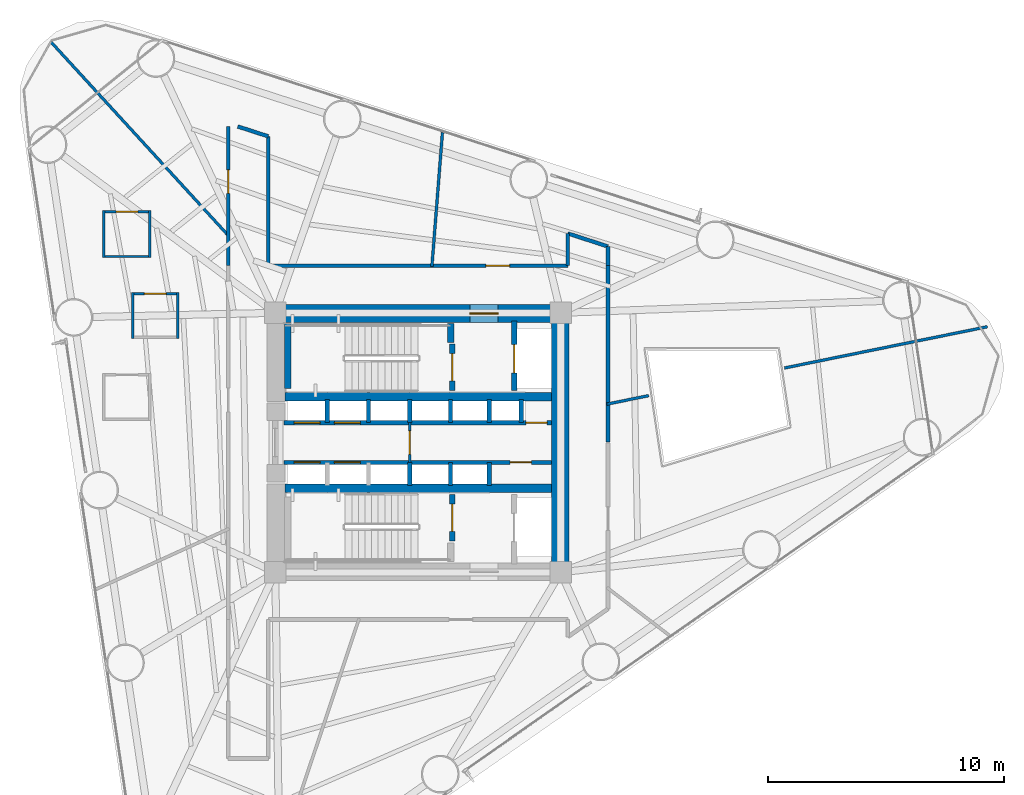
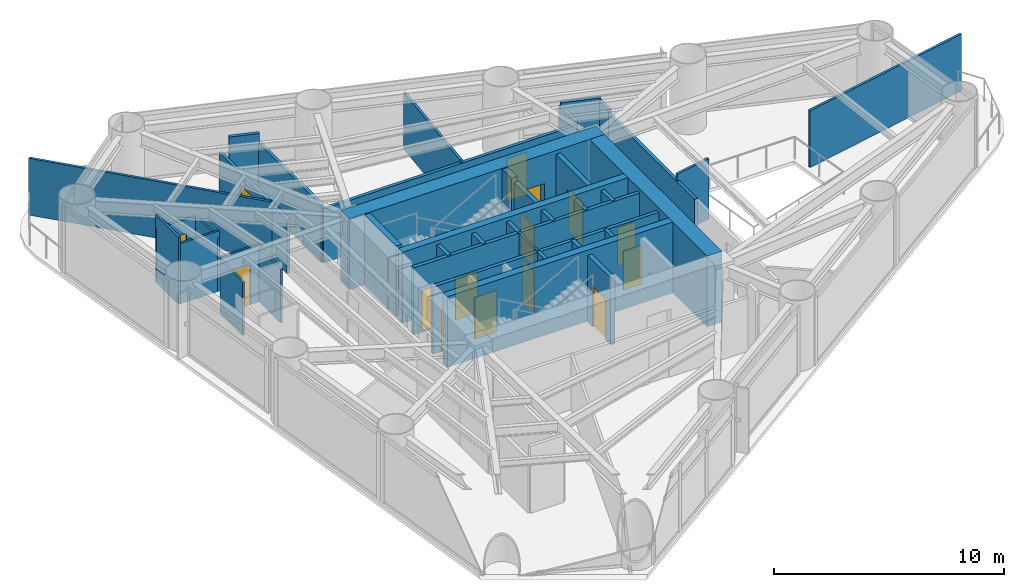
# One storey, part 6 of 9: 40 walls, 15 doors, 15 openings.
"""IFC4 building model written with IfcOpenShell, lengths in metres."""

from ifc_helpers import new_model, si_unit, direction, frame, frame_2d, origin, place, context, subcontext, project, spatial, rectangle, extrude, material, layer, layer_set, type_object, element, fill, save


model = new_model("IFC4")

# Units and contexts
model_context = context("Model", 3, precision=1e-05, world=origin(), true_north=direction((0.0, 1.0)))
body_context = subcontext(model_context, "Body", "Model", "MODEL_VIEW")
ifc_project = project(units=[si_unit("LENGTHUNIT", "METRE"), si_unit("AREAUNIT", "SQUARE_METRE"), si_unit("VOLUMEUNIT", "CUBIC_METRE"), si_unit("PLANEANGLEUNIT", "RADIAN"), si_unit("MASSUNIT", "GRAM", prefix="KILO")], contexts=[model_context])

# Site, building, storey
site_placement = place(None, origin())
site = spatial("IfcSite", under=ifc_project, at=site_placement, CompositionType="ELEMENT")
building_placement = place(site_placement, origin())
building = spatial("IfcBuilding", under=site, at=building_placement, Name="Yunling Apex Tower", CompositionType="ELEMENT")
storey_placement = place(building_placement, frame((0.0, 0.0, 58.550048828125)))
storey = spatial("IfcBuildingStorey", under=building, at=storey_placement, Name="L15", CompositionType="ELEMENT", Elevation=58.550048828125)

# Wall, opening, door
ifc_material_1 = material(Name="Concrete C60", Category="concrete")
ifc_layer_1 = layer(ifc_material_1, 0.75)
ifc_layer_set_1 = layer_set([ifc_layer_1], Name="Concrete C60")
wall_type_1 = type_object("IfcWallType", Name="WL-COR-1", PredefinedType="SHEAR", material=ifc_layer_set_1)
wall_1_placement = place(storey_placement, frame((-6.39990234375, 5.47509765625, 0.0), z_axis=(0.0, 0.0, 1.0), x_axis=(1.0, 0.0, 0.0)))
wall_1 = element("IfcWall", 1, at=wall_1_placement, inside=storey, type_object=wall_type_1, Name="L15 North Core Shear Wall", PredefinedType="SHEAR", context=body_context, shape_type="SweptSolid", body=[
    extrude(rectangle(XDim=12.7998046875, YDim=0.75, at=frame_2d((6.39990234375, 0.0))), origin(), (0.0, 0.0, 1.0), 3.75),
])
opening_1_placement = place(wall_1_placement, frame((8.60009765625, 0.0, 0.0)))
opening_1 = element("IfcOpeningElement", 2, at=opening_1_placement, cuts=wall_1, Name="Opening DR-FFL-1", PredefinedType="OPENING", context=body_context, shape_type="SweptSolid", body=[
    extrude(rectangle(XDim=1.199951171875, YDim=2.199951171875, at=frame_2d((0.60009765625, 1.10009765625))), frame((0.0, 0.385009765625, 0.0), z_axis=(0.0, -1.0, 0.0), x_axis=(1.0, 0.0, 0.0)), (0.0, 0.0, 1.0), 0.77001953125),
])
ifc_material_2 = material(Name="Steel Q355B", Category="steel")
door_type_1 = type_object("IfcDoorType", Name="DR-FFL-1", OperationType="NOTDEFINED", PredefinedType="DOOR", material=ifc_material_2)
door_1_placement = place(opening_1_placement, origin())
door_1 = element("IfcDoor", 3, at=door_1_placement, inside=storey, type_object=door_type_1, Name="L15 North Firefighting Lobby Door", OperationType="SINGLE_SWING_LEFT", OverallHeight=2.199951171875, OverallWidth=1.199951171875, PredefinedType="DOOR", context=body_context, shape_type="SweptSolid", body=[
    extrude(rectangle(XDim=1.199951171875, YDim=2.199951171875, at=frame_2d((0.60009765625, 1.10009765625))), frame((0.0, 0.02490234375, 0.0), z_axis=(0.0, -1.0, 0.0), x_axis=(1.0, 0.0, 0.0)), (0.0, 0.0, 1.0), 0.050048828125),
])
fill(opening_1, door_1)

# Walls
wall_2_placement = place(storey_placement, frame((6.02490234375, -5.10009765625, 0.0), z_axis=(0.0, 0.0, 1.0), x_axis=(0.0, 1.0, 0.0)))
element("IfcWall", 4, at=wall_2_placement, inside=storey, type_object=wall_type_1, Name="L15 East Core Shear Wall", PredefinedType="SHEAR", context=body_context, shape_type="SweptSolid", body=[
    extrude(rectangle(XDim=10.2001953125, YDim=0.75, at=frame_2d((5.10009765625, 0.0))), origin(), (0.0, 0.0, 1.0), 3.75),
])
ifc_material_3 = material(Name="Concrete C40", Category="concrete")
ifc_layer_2 = layer(ifc_material_3, 0.360107421875)
ifc_layer_set_2 = layer_set([ifc_layer_2], Name="Concrete C40")
wall_type_2 = type_object("IfcWallType", Name="WL-COR-4", PredefinedType="SHEAR", material=ifc_layer_set_2)
for number, where, z_axis, x_axis, name in (
    (5, (-5.64990234375, 1.93994140625, 0.0), (0.0, 0.0, 1.0), (1.0, 0.0, 0.0), "L15 North Internal Core Shear Wall"),
    (6, (-5.64990234375, -1.93994140625, 0.0), (0.0, 0.0, 1.0), (1.0, 0.0, 0.0), "L15 South Internal Core Shear Wall"),
):
    element("IfcWall", number, at=place(storey_placement, frame(where, z_axis=z_axis, x_axis=x_axis)), inside=storey, type_object=wall_type_2, Name=name, PredefinedType="SHEAR", context=body_context, shape_type="SweptSolid", body=[
        extrude(rectangle(XDim=11.2998046875, YDim=0.360107421875, at=frame_2d((5.64990234375, 0.0))), origin(), (0.0, 0.0, 1.0), 3.75),
    ])
ifc_layer_3 = layer(ifc_material_3, 0.280029296875)
ifc_layer_set_3 = layer_set([ifc_layer_3], Name="Concrete C40")
wall_type_3 = type_object("IfcWallType", Name="WL-COR-8", PredefinedType="SHEAR", material=ifc_layer_set_3)
wall_3_placement = place(storey_placement, frame((-5.52001953125, 2.300048828125, 0.0), z_axis=(0.0, 0.0, 1.0), x_axis=(0.0, 1.0, 0.0)))
element("IfcWall", 7, at=wall_3_placement, inside=storey, type_object=wall_type_3, Name="L15 ST-1 West Landing Bearing Wall", PredefinedType="SHEAR", context=body_context, shape_type="SweptSolid", body=[
    extrude(rectangle(XDim=2.75, YDim=0.280029296875, at=frame_2d((1.375, 0.0))), origin(), (0.0, 0.0, 1.0), 3.75),
])
wall_4_placement = place(storey_placement, frame((1.3798828125, 4.25, 0.0), z_axis=(0.0, 0.0, 1.0), x_axis=(0.0, 1.0, 0.0)))
element("IfcWall", 8, at=wall_4_placement, inside=storey, type_object=wall_type_3, Name="L15 ST-1 East Landing Bearing Pier", PredefinedType="SHEAR", context=body_context, shape_type="SweptSolid", body=[
    extrude(rectangle(XDim=0.800048828125, YDim=0.280029296875, at=frame_2d((0.39990234375, 0.0))), origin(), (0.0, 0.0, 1.0), 3.75),
])

# Wall, opening, door
ifc_material_4 = material(Name="Gypsum board acoustic partition")
ifc_layer_4 = layer(ifc_material_4, 0.159912109375)
ifc_layer_set_4 = layer_set([ifc_layer_4], Name="Gypsum board acoustic partition")
wall_type_4 = type_object("IfcWallType", Name="WL-PRT-1", PredefinedType="PARTITIONING", material=ifc_layer_set_4)
wall_5_placement = place(storey_placement, frame((-8.050048828125, 7.5, 0.0), z_axis=(0.0, 0.0, 1.0), x_axis=(0.0, 1.0, 0.0)))
wall_5 = element("IfcWall", 9, at=wall_5_placement, inside=storey, type_object=wall_type_4, Name="WL-CORR-L15-03", PredefinedType="PARTITIONING", context=body_context, shape_type="SweptSolid", body=[
    extrude(rectangle(XDim=5.89990234375, YDim=0.159912109375, at=frame_2d((2.949951171875, 0.0))), origin(), (0.0, 0.0, 1.0), 2.849853515625),
])
opening_2_placement = place(wall_5_placement, frame((3.061279296875, 0.0, 0.0)))
opening_2 = element("IfcOpeningElement", 10, at=opening_2_placement, cuts=wall_5, Name="Opening DR-OFF-1", PredefinedType="OPENING", context=body_context, shape_type="SweptSolid", body=[
    extrude(rectangle(XDim=1.0, YDim=2.25, at=frame_2d((0.5, 1.125))), frame((0.0, 0.08984375, 0.0), z_axis=(0.0, -1.0, 0.0), x_axis=(1.0, 0.0, 0.0)), (0.0, 0.0, 1.0), 0.179931640625),
])
ifc_material_5 = material(Name="Bronze anodised aluminium", Category="aluminium")
door_type_2 = type_object("IfcDoorType", Name="DR-OFF-1", OperationType="NOTDEFINED", PredefinedType="DOOR", material=ifc_material_5)
door_2_placement = place(opening_2_placement, origin())
door_2 = element("IfcDoor", 11, at=door_2_placement, inside=storey, type_object=door_type_2, Name="L15 Staff Pantry Kitchen Door", OperationType="SINGLE_SWING_RIGHT", OverallHeight=2.25, OverallWidth=1.0, PredefinedType="DOOR", context=body_context, shape_type="SweptSolid", body=[
    extrude(rectangle(XDim=1.0, YDim=2.25, at=frame_2d((0.5, 1.125))), frame((0.0, 0.02490234375, 0.0), z_axis=(0.0, -1.0, 0.0), x_axis=(1.0, 0.0, 0.0)), (0.0, 0.0, 1.0), 0.050048828125),
])
fill(opening_2, door_2)

# Walls
wall_6_placement = place(storey_placement, frame((-7.64111328125, 13.39990234375, 0.0), z_axis=(0.0, 0.0, 1.0), x_axis=(0.951277022007, -0.308337521884, 0.0)))
element("IfcWall", 12, at=wall_6_placement, inside=storey, type_object=wall_type_4, Name="WL-CORR-L15-05", PredefinedType="PARTITIONING", context=body_context, shape_type="SweptSolid", body=[
    extrude(rectangle(XDim=1.357177734375, YDim=0.159912109375, at=frame_2d((0.6787109375, 0.0))), origin(), (0.0, 0.0, 1.0), 3.544921875),
])
wall_7_placement = place(storey_placement, frame((-6.35009765625, 12.9814453125, 0.0), z_axis=(0.0, 0.0, 1.0), x_axis=(0.0, -1.0, 0.0)))
element("IfcWall", 13, at=wall_7_placement, inside=storey, type_object=wall_type_4, Name="WL-CORR-L15-06", PredefinedType="PARTITIONING", context=body_context, shape_type="SweptSolid", body=[
    extrude(rectangle(XDim=5.4814453125, YDim=0.159912109375, at=frame_2d((2.74072265625, 0.0))), origin(), (0.0, 0.0, 1.0), 3.050048828125),
])

# Wall, opening, door
wall_8_placement = place(storey_placement, frame((-6.35009765625, 7.5, 0.0), z_axis=(0.0, 0.0, 1.0), x_axis=(1.0, 0.0, 0.0)))
wall_8 = element("IfcWall", 14, at=wall_8_placement, inside=storey, type_object=wall_type_4, Name="WL-CORR-L15-07", PredefinedType="PARTITIONING", context=body_context, shape_type="SweptSolid", body=[
    extrude(rectangle(XDim=12.7001953125, YDim=0.159912109375, at=frame_2d((6.35009765625, 0.0))), origin(), (0.0, 0.0, 1.0), 2.849853515625),
])
opening_3_placement = place(wall_8_placement, frame((9.229248046875, 0.0, 0.0)))
opening_3 = element("IfcOpeningElement", 15, at=opening_3_placement, cuts=wall_8, Name="Opening DR-OFF-1", PredefinedType="OPENING", context=body_context, shape_type="SweptSolid", body=[
    extrude(rectangle(XDim=1.0, YDim=2.25, at=frame_2d((0.5, 1.125))), frame((0.0, 0.08984375, 0.0), z_axis=(0.0, -1.0, 0.0), x_axis=(1.0, 0.0, 0.0)), (0.0, 0.0, 1.0), 0.179931640625),
])
door_3_placement = place(opening_3_placement, origin())
door_3 = element("IfcDoor", 16, at=door_3_placement, inside=storey, type_object=door_type_2, Name="L15 Staff Pantry Kitchen Door", OperationType="SINGLE_SWING_LEFT", OverallHeight=2.25, OverallWidth=1.0, PredefinedType="DOOR", context=body_context, shape_type="SweptSolid", body=[
    extrude(rectangle(XDim=1.0, YDim=2.25, at=frame_2d((0.5, 1.125))), frame((0.0, 0.02490234375, 0.0), z_axis=(0.0, -1.0, 0.0), x_axis=(1.0, 0.0, 0.0)), (0.0, 0.0, 1.0), 0.050048828125),
])
fill(opening_3, door_3)

# Walls
wall_9_placement = place(storey_placement, frame((6.35009765625, 7.5, 0.0), z_axis=(0.0, 0.0, 1.0), x_axis=(0.0, 1.0, 0.0)))
element("IfcWall", 17, at=wall_9_placement, inside=storey, type_object=wall_type_4, Name="WL-CORR-L15-08", PredefinedType="PARTITIONING", context=body_context, shape_type="SweptSolid", body=[
    extrude(rectangle(XDim=1.36474609375, YDim=0.159912109375, at=frame_2d((0.682373046875, 0.0))), origin(), (0.0, 0.0, 1.0), 3.050048828125),
])
wall_10_placement = place(storey_placement, frame((6.35009765625, 8.86474609375, 0.0), z_axis=(0.0, 0.0, 1.0), x_axis=(0.951273733128, -0.308347668486, 0.0)))
element("IfcWall", 18, at=wall_10_placement, inside=storey, type_object=wall_type_4, Name="WL-CORR-L15-09", PredefinedType="PARTITIONING", context=body_context, shape_type="SweptSolid", body=[
    extrude(rectangle(XDim=1.787109375, YDim=0.159912109375, at=frame_2d((0.8935546875, 0.0))), origin(), (0.0, 0.0, 1.0), 3.199951171875),
])
wall_11_placement = place(storey_placement, frame((8.050048828125, 8.313720703125, 0.0), z_axis=(0.0, 0.0, 1.0), x_axis=(0.0, -1.0, 0.0)))
element("IfcWall", 19, at=wall_11_placement, inside=storey, type_object=wall_type_4, Name="WL-CORR-L15-10", PredefinedType="PARTITIONING", context=body_context, shape_type="SweptSolid", body=[
    extrude(rectangle(XDim=0.813720703125, YDim=0.159912109375, at=frame_2d((0.40673828125, 0.0))), origin(), (0.0, 0.0, 1.0), 3.050048828125),
])
wall_12_placement = place(storey_placement, frame((8.050048828125, 7.5, 0.0), z_axis=(0.0, 0.0, 1.0), x_axis=(0.0, -1.0, 0.0)))
element("IfcWall", 20, at=wall_12_placement, inside=storey, type_object=wall_type_4, Name="WL-CORR-L15-11", PredefinedType="PARTITIONING", context=body_context, shape_type="SweptSolid", body=[
    extrude(rectangle(XDim=7.47998046875, YDim=0.159912109375, at=frame_2d((3.739990234375, 0.0))), origin(), (0.0, 0.0, 1.0), 2.849853515625),
])
ifc_layer_5 = layer(ifc_material_4, 0.1201171875)
ifc_layer_set_5 = layer_set([ifc_layer_5], Name="Gypsum board acoustic partition")
wall_type_5 = type_object("IfcWallType", Name="WL-PRT-3", PredefinedType="PARTITIONING", material=ifc_layer_set_5)
wall_13_placement = place(storey_placement, frame((0.587158203125, 7.4599609375, 0.0), z_axis=(0.0, 0.0, 1.0), x_axis=(0.078455369282, 0.996917627004, 0.0)))
element("IfcWall", 21, at=wall_13_placement, inside=storey, type_object=wall_type_5, Name="WL-RAD-L15-01", PredefinedType="PARTITIONING", context=body_context, shape_type="SweptSolid", body=[
    extrude(rectangle(XDim=5.710205078125, YDim=0.1201171875, at=frame_2d((2.85498046875, 0.0))), origin(), (0.0, 0.0, 1.0), 3.010009765625),
])
wall_14_placement = place(storey_placement, frame((-8.010009765625, 8.741455078125, 0.0), z_axis=(0.0, 0.0, 1.0), x_axis=(-0.675595196102, 0.737272765674, 0.0)))
element("IfcWall", 22, at=wall_14_placement, inside=storey, type_object=wall_type_5, Name="WL-RAD-L15-02", PredefinedType="PARTITIONING", context=body_context, shape_type="SweptSolid", body=[
    extrude(rectangle(XDim=11.190185546875, YDim=0.1201171875, at=frame_2d((5.59521484375, 0.0))), origin(), (0.0, 0.0, 1.0), 3.010009765625),
])
wall_15_placement = place(storey_placement, frame((8.010009765625, 1.629638671875, 0.0), z_axis=(0.0, 0.0, 1.0), x_axis=(0.979916112173, 0.199410162989, 0.0)))
element("IfcWall", 23, at=wall_15_placement, inside=storey, type_object=wall_type_5, Name="WL-RAD-L15-06", PredefinedType="PARTITIONING", context=body_context, shape_type="SweptSolid", body=[
    extrude(rectangle(XDim=1.8095703125, YDim=0.1201171875, at=frame_2d((0.90478515625, 0.0))), origin(), (0.0, 0.0, 1.0), 3.2099609375),
])
wall_16_placement = place(storey_placement, frame((15.533447265625, 3.160400390625, 0.0), z_axis=(0.0, 0.0, 1.0), x_axis=(0.979928377953, 0.199349878562, 0.0)))
element("IfcWall", 24, at=wall_16_placement, inside=storey, type_object=wall_type_5, Name="WL-RAD-L15-07", PredefinedType="PARTITIONING", context=body_context, shape_type="SweptSolid", body=[
    extrude(rectangle(XDim=8.781005859375, YDim=0.1201171875, at=frame_2d((4.390625, 0.0))), origin(), (0.0, 0.0, 1.0), 3.010009765625),
])

# Wall, opening, door
ifc_layer_6 = layer(ifc_material_4, 0.10009765625)
ifc_layer_set_6 = layer_set([ifc_layer_6], Name="Gypsum board acoustic partition")
wall_type_6 = type_object("IfcWallType", Name="WL-PRT-4", PredefinedType="PARTITIONING", material=ifc_layer_set_6)
wall_17_placement = place(storey_placement, frame((-0.35009765625, -0.840087890625, 0.0), z_axis=(0.0, 0.0, 1.0), x_axis=(0.0, 1.0, 0.0)))
wall_17 = element("IfcWall", 25, at=wall_17_placement, inside=storey, type_object=wall_type_6, Name="WL-LOB-MID-L15", PredefinedType="PARTITIONING", context=body_context, shape_type="SweptSolid", body=[
    extrude(rectangle(XDim=1.68017578125, YDim=0.10009765625, at=frame_2d((0.840087890625, 0.0))), origin(), (0.0, 0.0, 1.0), 3.544921875),
])
opening_4_placement = place(wall_17_placement, frame((0.340087890625, 0.0, 0.0)))
opening_4 = element("IfcOpeningElement", 26, at=opening_4_placement, cuts=wall_17, Name="Opening DR-OFF-1", PredefinedType="OPENING", context=body_context, shape_type="SweptSolid", body=[
    extrude(rectangle(XDim=1.0, YDim=2.25, at=frame_2d((0.5, 1.125))), frame((0.0, 0.06005859375, 0.0), z_axis=(0.0, -1.0, 0.0), x_axis=(1.0, 0.0, 0.0)), (0.0, 0.0, 1.0), 0.1201171875),
])
door_4_placement = place(opening_4_placement, origin())
door_4 = element("IfcDoor", 27, at=door_4_placement, inside=storey, type_object=door_type_2, Name="L15 Core Lobby Link Door", OperationType="SINGLE_SWING_RIGHT", OverallHeight=2.25, OverallWidth=1.0, PredefinedType="DOOR", context=body_context, shape_type="SweptSolid", body=[
    extrude(rectangle(XDim=1.0, YDim=2.25, at=frame_2d((0.5, 1.125))), frame((0.0, 0.02490234375, 0.0), z_axis=(0.0, -1.0, 0.0), x_axis=(1.0, 0.0, 0.0)), (0.0, 0.0, 1.0), 0.050048828125),
])
fill(opening_4, door_4)

wall_18_placement = place(storey_placement, frame((-13.366943359375, 9.787109375, 0.0), z_axis=(0.0, 0.0, 1.0), x_axis=(1.0, 0.0, 0.0)))
wall_18 = element("IfcWall", 28, at=wall_18_placement, inside=storey, type_object=wall_type_6, Name="WL-L15-WCFN", PredefinedType="PARTITIONING", context=body_context, shape_type="SweptSolid", body=[
    extrude(rectangle(XDim=2.050048828125, YDim=0.10009765625, at=frame_2d((1.02490234375, 0.0))), origin(), (0.0, 0.0, 1.0), 2.849853515625),
])
opening_5_placement = place(wall_18_placement, frame((0.56494140625, 0.0, 0.0)))
opening_5 = element("IfcOpeningElement", 29, at=opening_5_placement, cuts=wall_18, Name="Opening DR-WC-1", PredefinedType="OPENING", context=body_context, shape_type="SweptSolid", body=[
    extrude(rectangle(XDim=0.919921875, YDim=2.10009765625, at=frame_2d((0.4599609375, 1.050048828125))), frame((0.0, 0.06005859375, 0.0), z_axis=(0.0, -1.0, 0.0), x_axis=(1.0, 0.0, 0.0)), (0.0, 0.0, 1.0), 0.1201171875),
])
ifc_material_6 = material(Name="Timber moisture-resistant leaf", Category="wood")
door_type_3 = type_object("IfcDoorType", Name="DR-WC-1", OperationType="NOTDEFINED", PredefinedType="DOOR", material=ifc_material_6)
door_5_placement = place(opening_5_placement, origin())
door_5 = element("IfcDoor", 30, at=door_5_placement, inside=storey, type_object=door_type_3, Name="L15 Female Toilet Door", OperationType="SINGLE_SWING_RIGHT", OverallHeight=2.10009765625, OverallWidth=0.919921875, PredefinedType="DOOR", context=body_context, shape_type="SweptSolid", body=[
    extrude(rectangle(XDim=0.919921875, YDim=2.10009765625, at=frame_2d((0.4599609375, 1.050048828125))), frame((0.0, 0.02490234375, 0.0), z_axis=(0.0, -1.0, 0.0), x_axis=(1.0, 0.0, 0.0)), (0.0, 0.0, 1.0), 0.050048828125),
])
fill(opening_5, door_5)

# Walls
wall_19_placement = place(storey_placement, frame((-11.31689453125, 7.886962890625, 0.0), z_axis=(0.0, 0.0, 1.0), x_axis=(-1.0, 0.0, 0.0)))
element("IfcWall", 31, at=wall_19_placement, inside=storey, type_object=wall_type_6, Name="WL-L15-WCFS", PredefinedType="PARTITIONING", context=body_context, shape_type="SweptSolid", body=[
    extrude(rectangle(XDim=2.050048828125, YDim=0.10009765625, at=frame_2d((1.02490234375, 0.0))), origin(), (0.0, 0.0, 1.0), 3.199951171875),
])
wall_20_placement = place(storey_placement, frame((-11.366943359375, 9.8369140625, 0.0), z_axis=(0.0, 0.0, 1.0), x_axis=(0.0, -1.0, 0.0)))
element("IfcWall", 32, at=wall_20_placement, inside=storey, type_object=wall_type_6, Name="WL-L15-WCFE", PredefinedType="PARTITIONING", context=body_context, shape_type="SweptSolid", body=[
    extrude(rectangle(XDim=2.0, YDim=0.10009765625, at=frame_2d((1.0, 0.0))), origin(), (0.0, 0.0, 1.0), 2.849853515625),
])
wall_21_placement = place(storey_placement, frame((-13.31689453125, 7.8369140625, 0.0), z_axis=(0.0, 0.0, 1.0), x_axis=(0.0, 1.0, 0.0)))
element("IfcWall", 33, at=wall_21_placement, inside=storey, type_object=wall_type_6, Name="WL-L15-WCFW", PredefinedType="PARTITIONING", context=body_context, shape_type="SweptSolid", body=[
    extrude(rectangle(XDim=2.0, YDim=0.10009765625, at=frame_2d((1.0, 0.0))), origin(), (0.0, 0.0, 1.0), 3.544921875),
])

# Wall, opening, door
wall_22_placement = place(storey_placement, frame((-12.14208984375, 6.30908203125, 0.0), z_axis=(0.0, 0.0, 1.0), x_axis=(1.0, 0.0, 0.0)))
wall_22 = element("IfcWall", 34, at=wall_22_placement, inside=storey, type_object=wall_type_6, Name="WL-L15-WCAN", PredefinedType="PARTITIONING", context=body_context, shape_type="SweptSolid", body=[
    extrude(rectangle(XDim=2.0, YDim=0.10009765625, at=frame_2d((1.0, 0.0))), origin(), (0.0, 0.0, 1.0), 3.050048828125),
])
opening_6_placement = place(wall_22_placement, frame((0.5400390625, 0.0, 0.0)))
opening_6 = element("IfcOpeningElement", 35, at=opening_6_placement, cuts=wall_22, Name="Opening DR-WC-1", PredefinedType="OPENING", context=body_context, shape_type="SweptSolid", body=[
    extrude(rectangle(XDim=0.919921875, YDim=2.10009765625, at=frame_2d((0.4599609375, 1.050048828125))), frame((0.0, 0.06005859375, 0.0), z_axis=(0.0, -1.0, 0.0), x_axis=(1.0, 0.0, 0.0)), (0.0, 0.0, 1.0), 0.1201171875),
])
door_6_placement = place(opening_6_placement, origin())
door_6 = element("IfcDoor", 36, at=door_6_placement, inside=storey, type_object=door_type_3, Name="L15 Accessible WC Door", OperationType="SINGLE_SWING_LEFT", OverallHeight=2.10009765625, OverallWidth=0.919921875, PredefinedType="DOOR", context=body_context, shape_type="SweptSolid", body=[
    extrude(rectangle(XDim=0.919921875, YDim=2.10009765625, at=frame_2d((0.4599609375, 1.050048828125))), frame((0.0, 0.02490234375, 0.0), z_axis=(0.0, -1.0, 0.0), x_axis=(1.0, 0.0, 0.0)), (0.0, 0.0, 1.0), 0.050048828125),
])
fill(opening_6, door_6)

# Walls
for number, where, z_axis, x_axis, name in (
    (37, (-10.19189453125, 6.35888671875, 0.0), (0.0, 0.0, 1.0), (0.0, -1.0, 0.0), "WL-L15-WCAE"),
    (38, (-12.092041015625, 4.408935546875, 0.0), (0.0, 0.0, 1.0), (0.0, 1.0, 0.0), "WL-L15-WCAW"),
):
    element("IfcWall", number, at=place(storey_placement, frame(where, z_axis=z_axis, x_axis=x_axis)), inside=storey, type_object=wall_type_6, Name=name, PredefinedType="PARTITIONING", context=body_context, shape_type="SweptSolid", body=[
        extrude(rectangle(XDim=1.949951171875, YDim=0.10009765625, at=frame_2d((0.97509765625, 0.0))), origin(), (0.0, 0.0, 1.0), 2.849853515625),
    ])

# Wall, opening, door
ifc_material_7 = material(Name="Autoclaved aerated concrete masonry", Category="masonry")
ifc_layer_7 = layer(ifc_material_7, 0.219970703125)
ifc_layer_set_7 = layer_set([ifc_layer_7], Name="Autoclaved aerated concrete masonry")
wall_type_7 = type_object("IfcWallType", Name="WL-SHF-1", PredefinedType="PLUMBINGWALL", material=ifc_layer_set_7)
wall_23_placement = place(storey_placement, frame((1.449951171875, 2.199951171875, 0.0), z_axis=(0.0, 0.0, 1.0), x_axis=(0.0, 1.0, 0.0)))
wall_23 = element("IfcWall", 39, at=wall_23_placement, inside=storey, type_object=wall_type_7, Name="WL-ST1-E-L15", PredefinedType="PLUMBINGWALL", context=body_context, shape_type="SweptSolid", body=[
    extrude(rectangle(XDim=1.97998046875, YDim=0.219970703125, at=frame_2d((0.989990234375, 0.0))), origin(), (0.0, 0.0, 1.0), 3.544921875),
])
opening_7_placement = place(wall_23_placement, frame((0.419921875, 0.0, 0.0)))
opening_7 = element("IfcOpeningElement", 40, at=opening_7_placement, cuts=wall_23, Name="Opening DR-ST-1", PredefinedType="OPENING", context=body_context, shape_type="SweptSolid", body=[
    extrude(rectangle(XDim=1.14990234375, YDim=2.14990234375, at=frame_2d((0.574951171875, 1.074951171875))), frame((0.0, 0.1201171875, 0.0), z_axis=(0.0, -1.0, 0.0), x_axis=(1.0, 0.0, 0.0)), (0.0, 0.0, 1.0), 0.239990234375),
])
door_type_4 = type_object("IfcDoorType", Name="DR-ST-1", OperationType="NOTDEFINED", PredefinedType="DOOR", material=ifc_material_2)
door_7_placement = place(opening_7_placement, origin())
door_7 = element("IfcDoor", 41, at=door_7_placement, inside=storey, type_object=door_type_4, Name="L15 Stair ST-1 Fire Door", OperationType="SINGLE_SWING_RIGHT", OverallHeight=2.14990234375, OverallWidth=1.14990234375, PredefinedType="DOOR", context=body_context, shape_type="SweptSolid", body=[
    extrude(rectangle(XDim=1.14990234375, YDim=2.14990234375, at=frame_2d((0.574951171875, 1.074951171875))), frame((0.0, 0.02490234375, 0.0), z_axis=(0.0, -1.0, 0.0), x_axis=(1.0, 0.0, 0.0)), (0.0, 0.0, 1.0), 0.050048828125),
])
fill(opening_7, door_7)

wall_24_placement = place(storey_placement, frame((4.080078125, 2.199951171875, 0.0), z_axis=(0.0, 0.0, 1.0), x_axis=(0.0, 1.0, 0.0)))
wall_24 = element("IfcWall", 42, at=wall_24_placement, inside=storey, type_object=wall_type_7, Name="WL-FFL1-W-L15", PredefinedType="PLUMBINGWALL", context=body_context, shape_type="SweptSolid", body=[
    extrude(rectangle(XDim=2.949951171875, YDim=0.219970703125, at=frame_2d((1.47509765625, 0.0))), origin(), (0.0, 0.0, 1.0), 3.544921875),
])
opening_8_placement = place(wall_24_placement, frame((0.75, 0.0, 0.0)))
opening_8 = element("IfcOpeningElement", 43, at=opening_8_placement, cuts=wall_24, Name="Opening LD-FFL-1", PredefinedType="OPENING", context=body_context, shape_type="SweptSolid", body=[
    extrude(rectangle(XDim=1.199951171875, YDim=2.25, at=frame_2d((0.60009765625, 1.125))), frame((0.0, 0.1201171875, 0.0), z_axis=(0.0, -1.0, 0.0), x_axis=(1.0, 0.0, 0.0)), (0.0, 0.0, 1.0), 0.239990234375),
])
door_type_5 = type_object("IfcDoorType", Name="LD-FFL-1", OperationType="DOUBLE_DOOR_SLIDING", PredefinedType="DOOR", material=ifc_material_2)
door_8_placement = place(opening_8_placement, origin())
door_8 = element("IfcDoor", 44, at=door_8_placement, inside=storey, type_object=door_type_5, Name="L15 Lift FFL-1 Landing Door", OperationType="DOUBLE_DOOR_SLIDING", OverallHeight=2.25, OverallWidth=1.199951171875, PredefinedType="DOOR", context=body_context, shape_type="SweptSolid", body=[
    extrude(rectangle(XDim=1.199951171875, YDim=2.25, at=frame_2d((0.60009765625, 1.125))), frame((0.0, 0.02490234375, 0.0), z_axis=(0.0, -1.0, 0.0), x_axis=(1.0, 0.0, 0.0)), (0.0, 0.0, 1.0), 0.050048828125),
])
fill(opening_8, door_8)

wall_25_placement = place(storey_placement, frame((1.449951171875, -4.179931640625, 0.0), z_axis=(0.0, 0.0, 1.0), x_axis=(0.0, 1.0, 0.0)))
wall_25 = element("IfcWall", 45, at=wall_25_placement, inside=storey, type_object=wall_type_7, Name="WL-ST2-E-L15", PredefinedType="PLUMBINGWALL", context=body_context, shape_type="SweptSolid", body=[
    extrude(rectangle(XDim=1.97998046875, YDim=0.219970703125, at=frame_2d((0.989990234375, 0.0))), origin(), (0.0, 0.0, 1.0), 3.544921875),
])
opening_9_placement = place(wall_25_placement, frame((0.419921875, 0.0, 0.0)))
opening_9 = element("IfcOpeningElement", 46, at=opening_9_placement, cuts=wall_25, Name="Opening DR-ST-1", PredefinedType="OPENING", context=body_context, shape_type="SweptSolid", body=[
    extrude(rectangle(XDim=1.14990234375, YDim=2.14990234375, at=frame_2d((0.574951171875, 1.074951171875))), frame((0.0, 0.1201171875, 0.0), z_axis=(0.0, -1.0, 0.0), x_axis=(1.0, 0.0, 0.0)), (0.0, 0.0, 1.0), 0.239990234375),
])
door_9_placement = place(opening_9_placement, origin())
door_9 = element("IfcDoor", 47, at=door_9_placement, inside=storey, type_object=door_type_4, Name="L15 Stair ST-2 Fire Door", OperationType="SINGLE_SWING_LEFT", OverallHeight=2.14990234375, OverallWidth=1.14990234375, PredefinedType="DOOR", context=body_context, shape_type="SweptSolid", body=[
    extrude(rectangle(XDim=1.14990234375, YDim=2.14990234375, at=frame_2d((0.574951171875, 1.074951171875))), frame((0.0, 0.02490234375, 0.0), z_axis=(0.0, -1.0, 0.0), x_axis=(1.0, 0.0, 0.0)), (0.0, 0.0, 1.0), 0.050048828125),
])
fill(opening_9, door_9)

# Walls
ifc_layer_8 = layer(ifc_material_7, 0.179931640625)
ifc_layer_set_8 = layer_set([ifc_layer_8], Name="Autoclaved aerated concrete masonry")
wall_type_8 = type_object("IfcWallType", Name="WL-SHF-2", PredefinedType="PLUMBINGWALL", material=ifc_layer_set_8)
for number, where, z_axis, x_axis, name in (
    (48, (-3.85009765625, 0.840087890625, 0.0), (0.0, 0.0, 1.0), (0.0, 1.0, 0.0), "WL-DIV-L12-L15"),
    (49, (-2.10009765625, 0.840087890625, 0.0), (0.0, 0.0, 1.0), (0.0, 1.0, 0.0), "WL-BNK-LM-N-L15"),
    (50, (-0.35009765625, 0.840087890625, 0.0), (0.0, 0.0, 1.0), (0.0, 1.0, 0.0), "WL-DIV-M12-L15"),
    (51, (-0.35009765625, -1.820068359375, 0.0), (0.0, 0.0, 1.0), (0.0, 1.0, 0.0), "WL-DIV-M34-L15"),
    (52, (1.3798828125, 0.840087890625, 0.0), (0.0, 0.0, 1.0), (0.0, 1.0, 0.0), "WL-BNK-MH-N-L15"),
    (53, (1.3798828125, -1.820068359375, 0.0), (0.0, 0.0, 1.0), (0.0, 1.0, 0.0), "WL-BNK-MH-S-L15"),
    (54, (3.02001953125, 0.840087890625, 0.0), (0.0, 0.0, 1.0), (0.0, 1.0, 0.0), "WL-DIV-H13-L15"),
    (55, (4.3798828125, 0.840087890625, 0.0), (0.0, 0.0, 1.0), (0.0, 1.0, 0.0), "WL-END-H3E-L15"),
    (56, (3.02001953125, -1.820068359375, 0.0), (0.0, 0.0, 1.0), (0.0, 1.0, 0.0), "WL-END-H2E-L15"),
):
    element("IfcWall", number, at=place(storey_placement, frame(where, z_axis=z_axis, x_axis=x_axis)), inside=storey, type_object=wall_type_8, Name=name, PredefinedType="PLUMBINGWALL", context=body_context, shape_type="SweptSolid", body=[
        extrude(rectangle(XDim=0.97998046875, YDim=0.179931640625, at=frame_2d((0.489990234375, 0.0))), origin(), (0.0, 0.0, 1.0), 3.544921875),
    ])

# Wall, openings, doors
wall_26_placement = place(storey_placement, frame((-5.679931640625, 0.840087890625, 0.0), z_axis=(0.0, 0.0, 1.0), x_axis=(1.0, 0.0, 0.0)))
wall_26 = element("IfcWall", 57, at=wall_26_placement, inside=storey, type_object=wall_type_8, Name="WL-LOB-N-L15", PredefinedType="PLUMBINGWALL", context=body_context, shape_type="SweptSolid", body=[
    extrude(rectangle(XDim=11.329833984375, YDim=0.179931640625, at=frame_2d((5.6650390625, 0.0))), origin(), (0.0, 0.0, 1.0), 3.544921875),
])
opening_10_placement = place(wall_26_placement, frame((0.429931640625, 0.0, 0.0)))
opening_10 = element("IfcOpeningElement", 58, at=opening_10_placement, cuts=wall_26, Name="Opening LD-PAS-1", PredefinedType="OPENING", context=body_context, shape_type="SweptSolid", body=[
    extrude(rectangle(XDim=1.10009765625, YDim=2.199951171875, at=frame_2d((0.550048828125, 1.10009765625))), frame((0.0, 0.10009765625, 0.0), z_axis=(0.0, -1.0, 0.0), x_axis=(1.0, 0.0, 0.0)), (0.0, 0.0, 1.0), 0.199951171875),
])
opening_11_placement = place(wall_26_placement, frame((2.1298828125, 0.0, 0.0)))
opening_11 = element("IfcOpeningElement", 59, at=opening_11_placement, cuts=wall_26, Name="Opening LD-PAS-1", PredefinedType="OPENING", context=body_context, shape_type="SweptSolid", body=[
    extrude(rectangle(XDim=1.10009765625, YDim=2.199951171875, at=frame_2d((0.550048828125, 1.10009765625))), frame((0.0, 0.10009765625, 0.0), z_axis=(0.0, -1.0, 0.0), x_axis=(1.0, 0.0, 0.0)), (0.0, 0.0, 1.0), 0.199951171875),
])
opening_12_placement = place(wall_26_placement, frame((10.25, 0.0, 0.0)))
opening_12 = element("IfcOpeningElement", 60, at=opening_12_placement, cuts=wall_26, Name="Opening DR-SHF-1", PredefinedType="OPENING", context=body_context, shape_type="SweptSolid", body=[
    extrude(rectangle(XDim=0.89990234375, YDim=2.050048828125, at=frame_2d((0.449951171875, 1.02490234375))), frame((0.0, 0.10009765625, 0.0), z_axis=(0.0, -1.0, 0.0), x_axis=(1.0, 0.0, 0.0)), (0.0, 0.0, 1.0), 0.199951171875),
])
door_type_6 = type_object("IfcDoorType", Name="DR-SHF-1", OperationType="NOTDEFINED", PredefinedType="DOOR", material=ifc_material_2)
door_10_placement = place(opening_12_placement, origin())
door_10 = element("IfcDoor", 61, at=door_10_placement, inside=storey, type_object=door_type_6, Name="L15 Core Janitor Closet Door", OperationType="SINGLE_SWING_LEFT", OverallHeight=2.050048828125, OverallWidth=0.89990234375, PredefinedType="DOOR", context=body_context, shape_type="SweptSolid", body=[
    extrude(rectangle(XDim=0.89990234375, YDim=2.050048828125, at=frame_2d((0.449951171875, 1.02490234375))), frame((0.0, 0.02490234375, 0.0), z_axis=(0.0, -1.0, 0.0), x_axis=(1.0, 0.0, 0.0)), (0.0, 0.0, 1.0), 0.050048828125),
])
fill(opening_12, door_10)
ifc_material_8 = material(Name="Silver anodised aluminium", Category="aluminium")
door_type_7 = type_object("IfcDoorType", Name="LD-PAS-1", OperationType="DOUBLE_DOOR_SLIDING", PredefinedType="DOOR", material=ifc_material_8)
door_11_placement = place(opening_10_placement, origin())
door_11 = element("IfcDoor", 62, at=door_11_placement, inside=storey, type_object=door_type_7, Name="L15 Lift PL-L1 Landing Door", OperationType="DOUBLE_DOOR_SLIDING", OverallHeight=2.199951171875, OverallWidth=1.10009765625, PredefinedType="DOOR", context=body_context, shape_type="SweptSolid", body=[
    extrude(rectangle(XDim=1.10009765625, YDim=2.199951171875, at=frame_2d((0.550048828125, 1.10009765625))), frame((0.0, 0.02490234375, 0.0), z_axis=(0.0, -1.0, 0.0), x_axis=(1.0, 0.0, 0.0)), (0.0, 0.0, 1.0), 0.050048828125),
])
fill(opening_10, door_11)
door_12_placement = place(opening_11_placement, origin())
door_12 = element("IfcDoor", 63, at=door_12_placement, inside=storey, type_object=door_type_7, Name="L15 Lift PL-L2 Landing Door", OperationType="DOUBLE_DOOR_SLIDING", OverallHeight=2.199951171875, OverallWidth=1.10009765625, PredefinedType="DOOR", context=body_context, shape_type="SweptSolid", body=[
    extrude(rectangle(XDim=1.10009765625, YDim=2.199951171875, at=frame_2d((0.550048828125, 1.10009765625))), frame((0.0, 0.02490234375, 0.0), z_axis=(0.0, -1.0, 0.0), x_axis=(1.0, 0.0, 0.0)), (0.0, 0.0, 1.0), 0.050048828125),
])
fill(opening_11, door_12)

wall_27_placement = place(storey_placement, frame((-5.679931640625, -0.840087890625, 0.0), z_axis=(0.0, 0.0, 1.0), x_axis=(1.0, 0.0, 0.0)))
wall_27 = element("IfcWall", 64, at=wall_27_placement, inside=storey, type_object=wall_type_8, Name="WL-LOB-S-L15", PredefinedType="PLUMBINGWALL", context=body_context, shape_type="SweptSolid", body=[
    extrude(rectangle(XDim=11.329833984375, YDim=0.179931640625, at=frame_2d((5.6650390625, 0.0))), origin(), (0.0, 0.0, 1.0), 3.544921875),
])
opening_13_placement = place(wall_27_placement, frame((0.429931640625, 0.0, 0.0)))
opening_13 = element("IfcOpeningElement", 65, at=opening_13_placement, cuts=wall_27, Name="Opening LD-PAS-1", PredefinedType="OPENING", context=body_context, shape_type="SweptSolid", body=[
    extrude(rectangle(XDim=1.10009765625, YDim=2.199951171875, at=frame_2d((0.550048828125, 1.10009765625))), frame((0.0, 0.10009765625, 0.0), z_axis=(0.0, -1.0, 0.0), x_axis=(1.0, 0.0, 0.0)), (0.0, 0.0, 1.0), 0.199951171875),
])
opening_14_placement = place(wall_27_placement, frame((2.1298828125, 0.0, 0.0)))
opening_14 = element("IfcOpeningElement", 66, at=opening_14_placement, cuts=wall_27, Name="Opening LD-PAS-1", PredefinedType="OPENING", context=body_context, shape_type="SweptSolid", body=[
    extrude(rectangle(XDim=1.10009765625, YDim=2.199951171875, at=frame_2d((0.550048828125, 1.10009765625))), frame((0.0, 0.10009765625, 0.0), z_axis=(0.0, -1.0, 0.0), x_axis=(1.0, 0.0, 0.0)), (0.0, 0.0, 1.0), 0.199951171875),
])
opening_15_placement = place(wall_27_placement, frame((9.580078125, 0.0, 0.0)))
opening_15 = element("IfcOpeningElement", 67, at=opening_15_placement, cuts=wall_27, Name="Opening DR-SHF-1", PredefinedType="OPENING", context=body_context, shape_type="SweptSolid", body=[
    extrude(rectangle(XDim=0.89990234375, YDim=2.050048828125, at=frame_2d((0.449951171875, 1.02490234375))), frame((0.0, 0.10009765625, 0.0), z_axis=(0.0, -1.0, 0.0), x_axis=(1.0, 0.0, 0.0)), (0.0, 0.0, 1.0), 0.199951171875),
])
door_13_placement = place(opening_15_placement, origin())
door_13 = element("IfcDoor", 68, at=door_13_placement, inside=storey, type_object=door_type_6, Name="L15 Core MEP Service Door", OperationType="SINGLE_SWING_RIGHT", OverallHeight=2.050048828125, OverallWidth=0.89990234375, PredefinedType="DOOR", context=body_context, shape_type="SweptSolid", body=[
    extrude(rectangle(XDim=0.89990234375, YDim=2.050048828125, at=frame_2d((0.449951171875, 1.02490234375))), frame((0.0, 0.02490234375, 0.0), z_axis=(0.0, -1.0, 0.0), x_axis=(1.0, 0.0, 0.0)), (0.0, 0.0, 1.0), 0.050048828125),
])
fill(opening_15, door_13)
door_14_placement = place(opening_13_placement, origin())
door_14 = element("IfcDoor", 69, at=door_14_placement, inside=storey, type_object=door_type_7, Name="L15 Lift PL-L3 Landing Door", OperationType="DOUBLE_DOOR_SLIDING", OverallHeight=2.199951171875, OverallWidth=1.10009765625, PredefinedType="DOOR", context=body_context, shape_type="SweptSolid", body=[
    extrude(rectangle(XDim=1.10009765625, YDim=2.199951171875, at=frame_2d((0.550048828125, 1.10009765625))), frame((0.0, 0.02490234375, 0.0), z_axis=(0.0, -1.0, 0.0), x_axis=(1.0, 0.0, 0.0)), (0.0, 0.0, 1.0), 0.050048828125),
])
fill(opening_13, door_14)
door_15_placement = place(opening_14_placement, origin())
door_15 = element("IfcDoor", 70, at=door_15_placement, inside=storey, type_object=door_type_7, Name="L15 Lift PL-L4 Landing Door", OperationType="DOUBLE_DOOR_SLIDING", OverallHeight=2.199951171875, OverallWidth=1.10009765625, PredefinedType="DOOR", context=body_context, shape_type="SweptSolid", body=[
    extrude(rectangle(XDim=1.10009765625, YDim=2.199951171875, at=frame_2d((0.550048828125, 1.10009765625))), frame((0.0, 0.02490234375, 0.0), z_axis=(0.0, -1.0, 0.0), x_axis=(1.0, 0.0, 0.0)), (0.0, 0.0, 1.0), 0.050048828125),
])
fill(opening_14, door_15)

save(model, "model.ifc")
